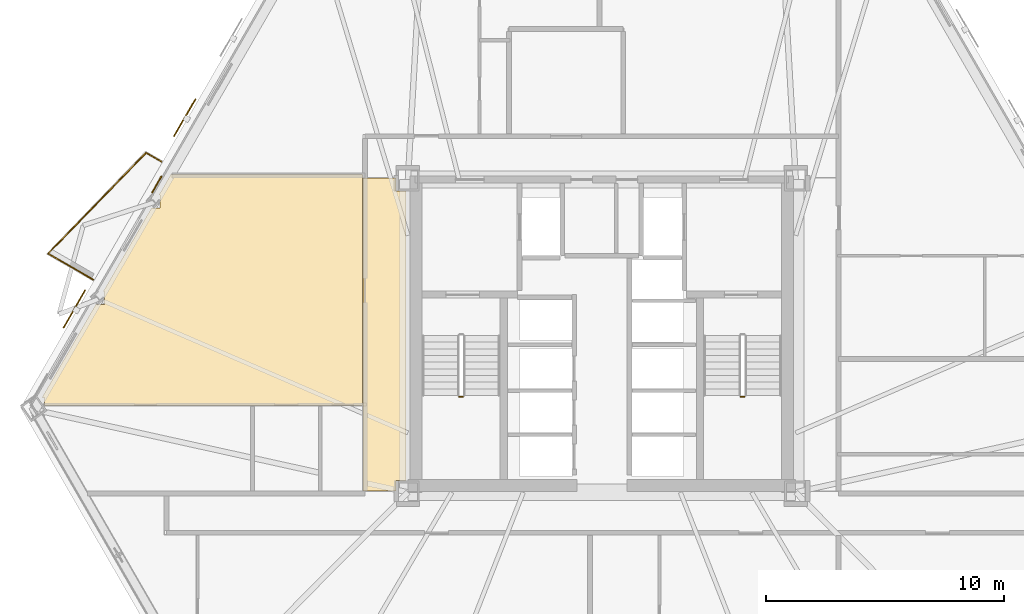
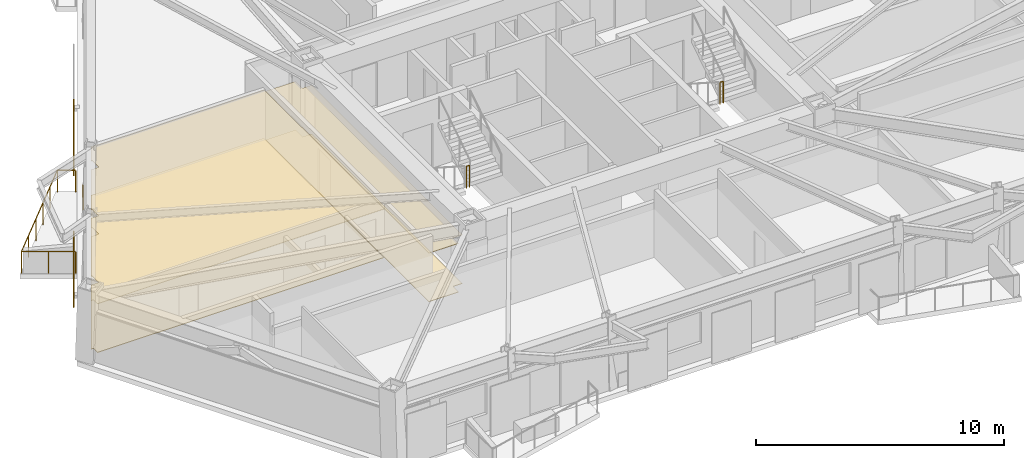
# One storey, part 8 of 10: 5 coverings, 5 railings, 2 shading devices.
"""IFC4 building model written with IfcOpenShell, lengths in metres."""

from ifc_helpers import new_model, si_unit, direction, frame, origin, origin_2d, place, context, subcontext, project, spatial, polyline, rectangle, circle, outline, extrude, material, layer, layer_set, type_object, element, save


model = new_model("IFC4")

# Units and contexts
model_context = context("Model", 3, precision=1e-05, world=origin(), true_north=direction((0.0, 1.0)))
body_context = subcontext(model_context, "Body", "Model", "MODEL_VIEW")
ifc_project = project(units=[si_unit("LENGTHUNIT", "METRE"), si_unit("AREAUNIT", "SQUARE_METRE"), si_unit("VOLUMEUNIT", "CUBIC_METRE"), si_unit("PLANEANGLEUNIT", "RADIAN"), si_unit("MASSUNIT", "GRAM", prefix="KILO")], contexts=[model_context])

# Site, building, storey
site_placement = place(None, origin())
site = spatial("IfcSite", under=ifc_project, at=site_placement, CompositionType="ELEMENT")
building_placement = place(site_placement, origin())
building = spatial("IfcBuilding", under=site, at=building_placement, Name="Oramaril Tower", CompositionType="ELEMENT")
storey_placement = place(building_placement, frame((0.0, 0.0, 56.10009765625)))
storey = spatial("IfcBuildingStorey", under=building, at=storey_placement, Name="L14", CompositionType="ELEMENT", Elevation=56.10009765625)

# Coverings
ifc_material_1 = material(Name="Mineral Fibre Acoustic Ceiling")
ifc_layer_1 = layer(ifc_material_1, 0.02001953125)
ifc_layer_set_1 = layer_set([ifc_layer_1], Name="CVT-CEIL")
covering_type_1 = type_object("IfcCoveringType", Name="CVT-CEIL", PredefinedType="CEILING", material=ifc_layer_set_1)
covering_1_placement = place(storey_placement, frame((0.0, 0.0, 2.39990234375)))
element("IfcCovering", 1, at=covering_1_placement, inside=storey, type_object=covering_type_1, Name="L14 Acoustic Suspended Ceiling 3", PredefinedType="CEILING", context=body_context, shape_type="SweptSolid", body=[
    extrude(outline(polyline([(28.85498046875, 23.655029296875), (29.280029296875, 23.655029296875), (29.280029296875, 11.4951171875), (28.85498046875, 11.4951171875), (28.85498046875, 11.050048828125), (27.469970703125, 11.050048828125), (27.469970703125, 24.219970703125), (28.85498046875, 24.219970703125), (28.85498046875, 23.655029296875)])), origin(), (0.0, 0.0, 1.0), 0.02001953125),
])
covering_2_placement = place(storey_placement, frame((0.0, 0.0, 2.39990234375)))
element("IfcCovering", 2, at=covering_2_placement, inside=storey, type_object=covering_type_1, Name="L14 Acoustic Suspended Ceiling 10", PredefinedType="CEILING", context=body_context, shape_type="SweptSolid", body=[
    extrude(outline(polyline([(14.085693359375, 14.651611328125), (14.085693359375, 14.978515625), (13.97119140625, 14.978515625), (16.227783203125, 18.88720703125), (16.589599609375, 18.88720703125), (16.589599609375, 19.436767578125), (16.545166015625, 19.436767578125), (18.578857421875, 22.958984375), (18.9404296875, 22.958984375), (18.9404296875, 23.49755859375), (18.889892578125, 23.49755859375), (19.388916015625, 24.362060546875), (27.449951171875, 24.362060546875), (27.449951171875, 24.239990234375), (27.4501953125, 24.238037109375), (27.450439453125, 24.236083984375), (27.450927734375, 24.234130859375), (27.451416015625, 24.232421875), (27.452392578125, 24.230712890625), (27.45263671875, 24.22998046875), (27.452392578125, 24.2294921875), (27.451416015625, 24.227783203125), (27.450927734375, 24.225830078125), (27.450439453125, 24.223876953125), (27.4501953125, 24.221923828125), (27.449951171875, 24.219970703125), (27.449951171875, 14.651611328125), (14.085693359375, 14.651611328125)])), origin(), (0.0, 0.0, 1.0), 0.02001953125),
])
ifc_material_2 = material(Name="Warm Cream Limestone", Category="masonry")
ifc_layer_2 = layer(ifc_material_2, 0.050048828125)
ifc_layer_set_2 = layer_set([ifc_layer_2], Name="CVT-CLD")
covering_type_2 = type_object("IfcCoveringType", Name="CVT-CLD", PredefinedType="CLADDING", material=ifc_layer_set_2)
covering_3_placement = place(storey_placement, frame((18.7958984375, 23.937255859375, 0.0400390625), z_axis=(0.0, 0.0, 1.0), x_axis=(-0.4999984885, -0.866026276448, 0.0)))
element("IfcCovering", 3, at=covering_3_placement, inside=storey, type_object=covering_type_2, Name="L14 Warm Cream Limestone Spandrel Cladding", PredefinedType="CLADDING", context=body_context, shape_type="SweptSolid", body=[
    extrude(rectangle(XDim=0.800048828125, YDim=0.050048828125, at=origin_2d()), origin(), (0.0, 0.0, 1.0), 0.679931640625),
])
ifc_material_3 = material(Name="Honed Quartzite Stone Flooring", Category="masonry")
ifc_layer_3 = layer(ifc_material_3, 0.02490234375)
ifc_layer_set_3 = layer_set([ifc_layer_3], Name="CVT-FLR")
covering_type_3 = type_object("IfcCoveringType", Name="CVT-FLR", PredefinedType="FLOORING", material=ifc_layer_set_3)
covering_4_placement = place(storey_placement, origin())
element("IfcCovering", 4, at=covering_4_placement, inside=storey, type_object=covering_type_3, Name="L14 Honed Stone Floor Finish 3", PredefinedType="FLOORING", context=body_context, shape_type="SweptSolid", body=[
    extrude(outline(polyline([(28.85498046875, 23.655029296875), (29.280029296875, 23.655029296875), (29.280029296875, 11.4951171875), (28.85498046875, 11.4951171875), (28.85498046875, 11.050048828125), (27.469970703125, 11.050048828125), (27.469970703125, 24.219970703125), (28.85498046875, 24.219970703125), (28.85498046875, 23.655029296875)])), origin(), (0.0, 0.0, 1.0), 0.02490234375),
])
covering_5_placement = place(storey_placement, origin())
element("IfcCovering", 5, at=covering_5_placement, inside=storey, type_object=covering_type_3, Name="L14 Honed Stone Floor Finish 10", PredefinedType="FLOORING", context=body_context, shape_type="SweptSolid", body=[
    extrude(outline(polyline([(14.085693359375, 14.651611328125), (14.085693359375, 14.978515625), (13.97119140625, 14.978515625), (16.227783203125, 18.88720703125), (16.589599609375, 18.88720703125), (16.589599609375, 19.436767578125), (16.545166015625, 19.436767578125), (18.578857421875, 22.958984375), (18.9404296875, 22.958984375), (18.9404296875, 23.49755859375), (18.889892578125, 23.49755859375), (19.388916015625, 24.362060546875), (27.449951171875, 24.362060546875), (27.449951171875, 24.239990234375), (27.4501953125, 24.238037109375), (27.450439453125, 24.236083984375), (27.450927734375, 24.234130859375), (27.451416015625, 24.232421875), (27.452392578125, 24.230712890625), (27.45263671875, 24.22998046875), (27.452392578125, 24.2294921875), (27.451416015625, 24.227783203125), (27.450927734375, 24.225830078125), (27.450439453125, 24.223876953125), (27.4501953125, 24.221923828125), (27.449951171875, 24.219970703125), (27.449951171875, 14.651611328125), (14.085693359375, 14.651611328125)])), origin(), (0.0, 0.0, 1.0), 0.02490234375),
])

# Railings
ifc_material_4 = material(Name="Stainless Steel 316L", Category="steel")
railing_type = type_object("IfcRailingType", Name="RLT-GRD", PredefinedType="GUARDRAIL", material=ifc_material_4)
railing_1_placement = place(storey_placement, frame((16.123779296875, 19.93896484375, 0.0)))
element("IfcRailing", 6, at=railing_1_placement, inside=storey, type_object=railing_type, Name="L14 Balcony Guardrail L14-BAL-NW2.1", PredefinedType="GUARDRAIL", context=body_context, shape_type="SweptSolid", body=[
    extrude(circle(Radius=0.02392578125, at=origin_2d()), frame((0.0, 0.0, 1.076171875), z_axis=(-0.866020500697, 0.5000084923, 0.0), x_axis=(-0.5000084923, -0.866020500697, 0.0)), (0.0, 0.0, 1.0), 2.19189453125),
    extrude(circle(Radius=0.02099609375, at=origin_2d()), origin(), (0.0, 0.0, 1.0), 1.052001953125),
    extrude(circle(Radius=0.02099609375, at=origin_2d()), frame((-0.94921875, 0.5478515625, 0.0)), (0.0, 0.0, 1.0), 1.052001953125),
    extrude(circle(Radius=0.02099609375, at=origin_2d()), frame((-1.898193359375, 1.095947265625, 0.0)), (0.0, 0.0, 1.0), 1.052001953125),
])
railing_2_placement = place(storey_placement, frame((14.2255859375, 21.034912109375, 0.0)))
element("IfcRailing", 7, at=railing_2_placement, inside=storey, type_object=railing_type, Name="L14 Balcony Guardrail L14-BAL-NW2.2", PredefinedType="GUARDRAIL", context=body_context, shape_type="SweptSolid", body=[
    extrude(circle(Radius=0.02392578125, at=origin_2d()), frame((0.0, 0.0, 1.076171875), z_axis=(0.697165686546, 0.716910040034, 0.0), x_axis=(-0.716910040034, 0.697165686546, 0.0)), (0.0, 0.0, 1.0), 5.910400390625),
    extrude(circle(Radius=0.02099609375, at=origin_2d()), origin(), (0.0, 0.0, 1.0), 1.052001953125),
    extrude(circle(Radius=0.02099609375, at=origin_2d()), frame((0.82421875, 0.847412109375, 0.0)), (0.0, 0.0, 1.0), 1.052001953125),
    extrude(circle(Radius=0.02099609375, at=origin_2d()), frame((1.648193359375, 1.69482421875, 0.0)), (0.0, 0.0, 1.0), 1.052001953125),
    extrude(circle(Radius=0.02099609375, at=origin_2d()), frame((2.472412109375, 2.54248046875, 0.0)), (0.0, 0.0, 1.0), 1.052001953125),
    extrude(circle(Radius=0.02099609375, at=origin_2d()), frame((3.29638671875, 3.389892578125, 0.0)), (0.0, 0.0, 1.0), 1.052001953125),
    extrude(circle(Radius=0.02099609375, at=origin_2d()), frame((4.12060546875, 4.2373046875, 0.0)), (0.0, 0.0, 1.0), 1.052001953125),
])
railing_3_placement = place(storey_placement, frame((18.34619140625, 25.272216796875, 0.0)))
element("IfcRailing", 8, at=railing_3_placement, inside=storey, type_object=railing_type, Name="L14 Balcony Guardrail L14-BAL-NW2.3", PredefinedType="GUARDRAIL", context=body_context, shape_type="SweptSolid", body=[
    extrude(circle(Radius=0.02392578125, at=origin_2d()), frame((0.0, 0.0, 1.076171875), z_axis=(0.866108878364, -0.499855389907, 0.0), x_axis=(0.499855389907, 0.866108878364, 0.0)), (0.0, 0.0, 1.0), 0.741943359375),
    extrude(circle(Radius=0.02099609375, at=origin_2d()), origin(), (0.0, 0.0, 1.0), 1.052001953125),
    extrude(circle(Radius=0.02099609375, at=origin_2d()), frame((0.642578125, -0.370849609375, 0.0)), (0.0, 0.0, 1.0), 1.052001953125),
])
for number, where, name in (
    (9, (31.510009765625, 15.02001953125, 1.7998046875), "L14 ST-1 stair guard 2"),
    (10, (43.340087890625, 15.02001953125, 1.7998046875), "L14 ST-2 stair guard 2"),
):
    element("IfcRailing", number, at=place(storey_placement, frame(where)), inside=storey, type_object=railing_type, Name=name, PredefinedType="GUARDRAIL", context=body_context, shape_type="SweptSolid", body=[
        extrude(circle(Radius=0.02392578125, at=origin_2d()), frame((0.0, 0.0, 1.076171875), z_axis=(1.0, 0.0, 0.0), x_axis=(0.0, 1.0, 0.0)), (0.0, 0.0, 1.0), 0.14990234375),
        extrude(circle(Radius=0.02099609375, at=origin_2d()), origin(), (0.0, 0.0, 1.0), 1.052001953125),
        extrude(circle(Radius=0.02099609375, at=origin_2d()), frame((0.14990234375, 0.0, 0.0)), (0.0, 0.0, 1.0), 1.052001953125),
    ])

# Shading devices
for number, where, z_axis, x_axis, name in (
    (11, (15.330810546875, 18.709228515625, -0.02001953125), (0.0, 0.0, 1.0), (-0.4999984885, -0.866026276448, 0.0), "L14 Perforated Ceramic Solar Screen"),
    (12, (19.970458984375, 26.74560546875, -0.02001953125), (0.0, 0.0, 1.0), (-0.4999984885, -0.866026276448, 0.0), "L14 Perforated Ceramic Solar Screen"),
):
    element("IfcShadingDevice", number, at=place(storey_placement, frame(where, z_axis=z_axis, x_axis=x_axis)), inside=storey, Name=name, ObjectType="SCREEN", PredefinedType="USERDEFINED", context=body_context, shape_type="SweptSolid", body=[
        extrude(rectangle(XDim=1.8330078125, YDim=0.050048828125, at=origin_2d()), origin(), (0.0, 0.0, 1.0), 2.493896484375),
    ])

save(model, "model.ifc")
